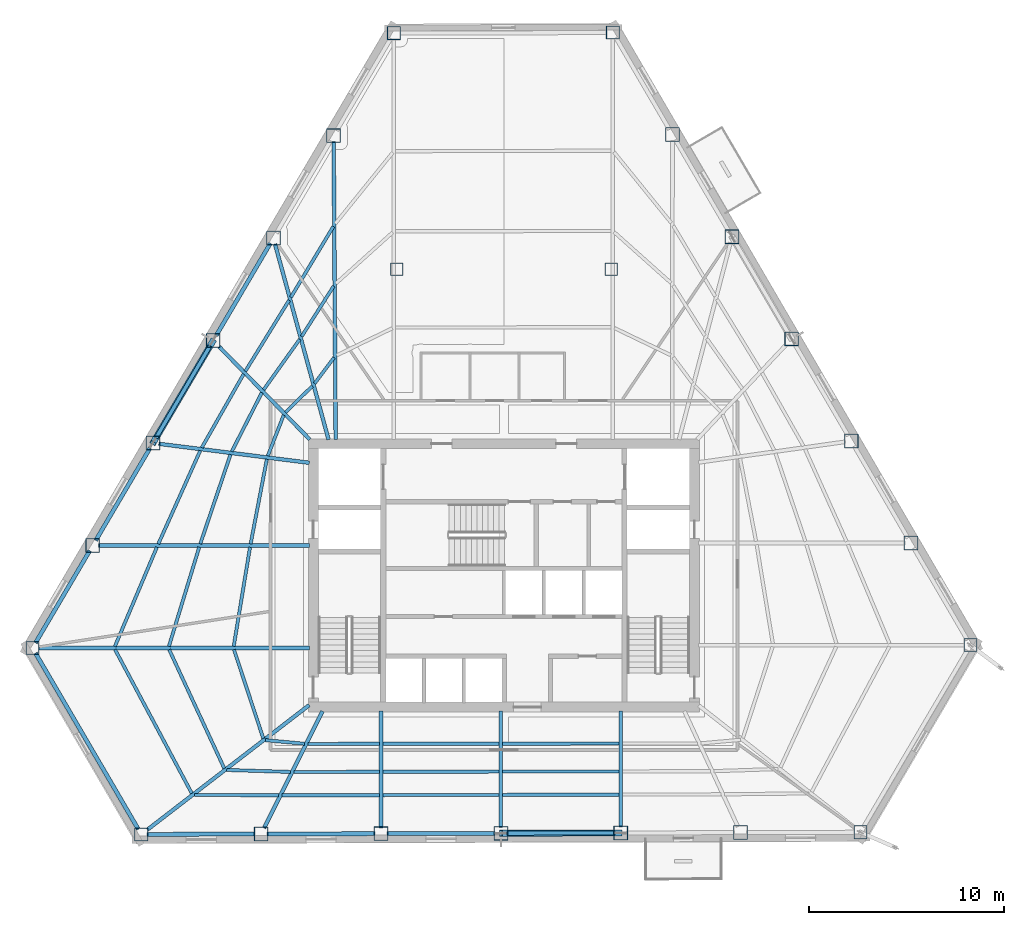
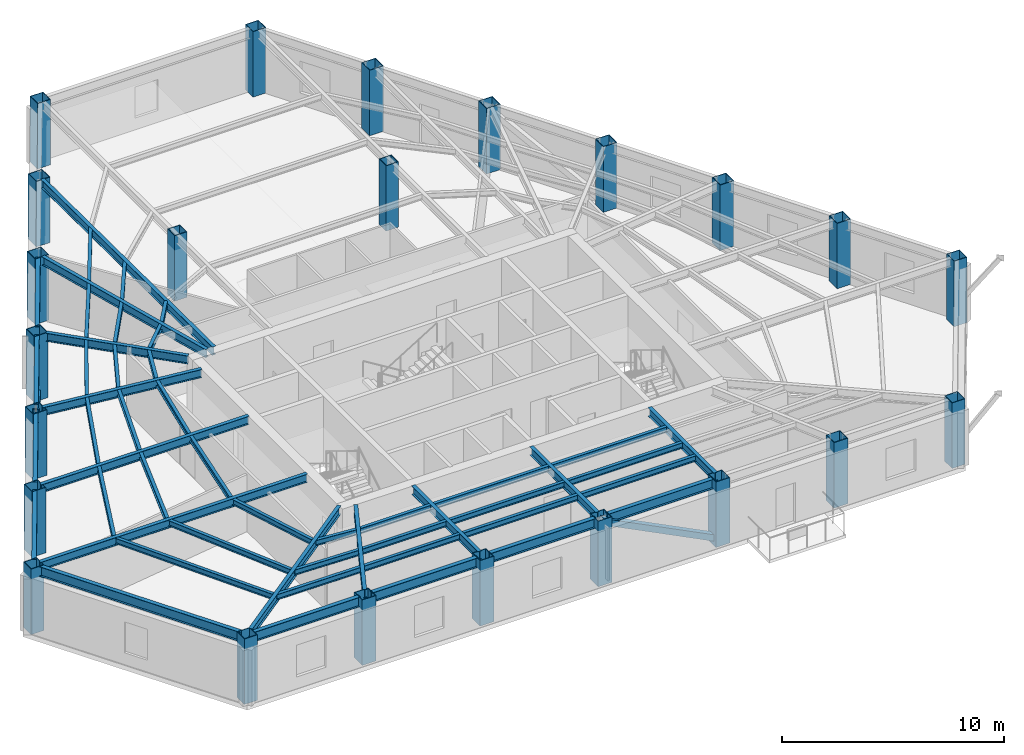
# One storey, part 1 of 10: 50 beams, 23 columns, 2 members.
"""IFC4 building model written with IfcOpenShell, lengths in metres."""

import ifcopenshell
import ifcopenshell.guid

model = None  # the IFC model being written
_history = None  # IfcOwnerHistory: only IFC2X3 demands one
_inside = {}  # id of a spatial element -> (the spatial element, [elements in it])
_under = {}  # id of a project, library or spatial element -> (it, [spatial elements below it])
_declared = {}  # id of a project -> (the project, [libraries it declares])
_typed = {}  # id of a type object -> (the type object, [elements of that type])
_made_of = {}  # id of a material, layer set ... -> (it, [elements and type objects made of it])


def new_model(schema):
    """Start an empty IFC model of exactly this schema.

    Asked for "IFC4X3", IfcOpenShell would pick the latest addendum, in which some entities
    have other attributes; the version numbers below select the first issue.
    IFC2X3 requires an IfcOwnerHistory on every rooted entity: one is made here for all.
    """
    global model, _history
    if schema == "IFC4X3":
        model = ifcopenshell.file(schema_version=(4, 3, 0, 0))
    else:
        model = ifcopenshell.file(schema=schema)
    _inside.clear()
    _under.clear()
    _declared.clear()
    _typed.clear()
    _made_of.clear()
    _history = None
    if model.schema == "IFC2X3":
        org = make("IfcOrganization", Name="unknown")
        user = make(
            "IfcPersonAndOrganization",
            ThePerson=make("IfcPerson", FamilyName="unknown"),
            TheOrganization=org,
        )
        app = make(
            "IfcApplication",
            ApplicationDeveloper=org,
            Version="unknown",
            ApplicationFullName="unknown",
            ApplicationIdentifier="unknown",
        )
        _history = make(
            "IfcOwnerHistory",
            OwningUser=user,
            OwningApplication=app,
            ChangeAction="ADDED",
            CreationDate=0,
        )
    return model


def make(cls, **values):
    """One entity of the class cls with the attributes given. An attribute that is None is left unset."""
    return model.create_entity(
        cls, **{name: value for name, value in values.items() if value is not None}
    )


def rooted(cls, **values):
    """An entity with a GlobalId (a new one), such as an element, a storey or a relation."""
    return make(cls, GlobalId=ifcopenshell.guid.new(), OwnerHistory=_history, **values)


def si_unit(unit_type, name, prefix=None):
    """IfcSIUnit, for example si_unit("LENGTHUNIT", "METRE", prefix="MILLI")."""
    return make("IfcSIUnit", UnitType=unit_type, Prefix=prefix, Name=name)


def assignment(units):
    """IfcUnitAssignment: the units of a project."""
    return None if units is None else make("IfcUnitAssignment", Units=units)


def point(xyz):
    """IfcCartesianPoint."""
    return None if xyz is None else make("IfcCartesianPoint", Coordinates=xyz)


def direction(xyz):
    """IfcDirection."""
    return None if xyz is None else make("IfcDirection", DirectionRatios=xyz)


def frame(location, z_axis=None, x_axis=None):
    """IfcAxis2Placement3D, a coordinate frame: its origin and axes. An axis left out is left unset."""
    return make(
        "IfcAxis2Placement3D",
        Location=point(location),
        Axis=direction(z_axis),
        RefDirection=direction(x_axis),
    )


def frame_2d(location, x_axis=None):
    """IfcAxis2Placement2D, a coordinate frame in the plane: its origin and x axis."""
    return make(
        "IfcAxis2Placement2D", Location=point(location), RefDirection=direction(x_axis)
    )


def origin():
    """The frame at (0, 0, 0) with its axes left unset."""
    return frame((0.0, 0.0, 0.0))


def origin_2d():
    """The frame at (0, 0) in the plane with its x axis left unset."""
    return frame_2d((0.0, 0.0))


def place(relative_to, where):
    """IfcLocalPlacement: puts the frame where relative to a parent placement (None: the world)."""
    return make(
        "IfcLocalPlacement", PlacementRelTo=relative_to, RelativePlacement=where
    )


def context(
    kind, dimensions, precision=None, world=None, true_north=None, identifier=None
):
    """IfcGeometricRepresentationContext, for example the 3D "Model" context."""
    return make(
        "IfcGeometricRepresentationContext",
        ContextIdentifier=identifier,
        ContextType=kind,
        CoordinateSpaceDimension=dimensions,
        Precision=precision,
        WorldCoordinateSystem=world,
        TrueNorth=true_north,
    )


def subcontext(parent, identifier, kind, view, scale=None):
    """IfcGeometricRepresentationSubContext, for example "Body" below "Model"."""
    return make(
        "IfcGeometricRepresentationSubContext",
        ContextIdentifier=identifier,
        ContextType=kind,
        ParentContext=parent,
        TargetScale=scale,
        TargetView=view,
    )


def project(units=None, contexts=None):
    """IfcProject with its units and contexts."""
    return rooted(
        "IfcProject",
        Name="project",
        RepresentationContexts=contexts,
        UnitsInContext=assignment(units),
    )


def spatial(cls, under=None, at=None, **own):
    """A site, building, storey or space (cls), placed at a placement, below another one or the project."""
    s = rooted(cls, ObjectPlacement=at, **own)
    if under is not None:
        _under.setdefault(under.id(), (under, []))[1].append(s)
    return s


def profile(cls, at=None, kind="AREA", **sizes):
    """A parametric profile (cls). Its sizes go by their IFC names, for example OverallWidth=200.0."""
    return make(cls, ProfileType=kind, Position=at, **sizes)


def hollow_rectangle(**sizes):
    """IfcRectangleHollowProfileDef."""
    return profile("IfcRectangleHollowProfileDef", **sizes)


def i_section(**sizes):
    """IfcIShapeProfileDef."""
    return profile("IfcIShapeProfileDef", **sizes)


def extrude(swept, where, along, depth):
    """IfcExtrudedAreaSolid: the profile swept, set in the frame where, extruded along a direction by depth."""
    return make(
        "IfcExtrudedAreaSolid",
        SweptArea=swept,
        Position=where,
        ExtrudedDirection=direction(along),
        Depth=depth,
    )


def shape(context_of_items, identifier, shape_type, items):
    """IfcShapeRepresentation: the items that make up one representation, for example the "Body"."""
    return make(
        "IfcShapeRepresentation",
        ContextOfItems=context_of_items,
        RepresentationIdentifier=identifier,
        RepresentationType=shape_type,
        Items=items,
    )


def material(Name=None, Category=None):
    """IfcMaterial."""
    return make("IfcMaterial", Name=Name, Category=Category)


def material_profile(
    of_material, cross_section, Name=None, Category=None, Priority=None
):
    """IfcMaterialProfile: a cross section and its material."""
    return make(
        "IfcMaterialProfile",
        Name=Name,
        Material=of_material,
        Profile=cross_section,
        Priority=Priority,
        Category=Category,
    )


def profile_set(profiles, Name=None, composite=None):
    """IfcMaterialProfileSet."""
    return make(
        "IfcMaterialProfileSet",
        Name=Name,
        MaterialProfiles=profiles,
        CompositeProfile=composite,
    )


def made_of(thing, what):
    """Note that an element or type object is made of a material, layer set ...; save() writes the relation."""
    if what is not None:
        _made_of.setdefault(what.id(), (what, []))[1].append(thing)
    return thing


def type_object(cls, material=None, **own):
    """A type object (cls), such as IfcWallType, which elements share."""
    return made_of(rooted(cls, **own), material)


def element(
    cls,
    number,
    at=None,
    inside=None,
    cuts=None,
    type_object=None,
    material=None,
    context=None,
    identifier="Body",
    shape_type=None,
    held_by="IfcProductDefinitionShape",
    body=None,
    shapes=None,
    **own,
):
    """One element of the class cls, such as IfcWall. Its Tag is "e" and its number.

    at: its placement. inside: the storey or other place that contains it. cuts: it is an
    opening in that element (IfcRelVoidsElement). A single representation is given by context,
    identifier, shape_type and body (its items); several are given by shapes. held_by: the class
    of the entity that holds the representations. save() writes the other relations.
    """
    e = rooted(cls, Tag="e%d" % number, ObjectPlacement=at, **own)
    if body is not None:
        shapes = [shape(context, identifier, shape_type, body)]
    if shapes is not None:
        e.Representation = make(held_by, Representations=shapes)
    if inside is not None:
        _inside.setdefault(inside.id(), (inside, []))[1].append(e)
    if cuts is not None:
        rooted(
            "IfcRelVoidsElement", RelatingBuildingElement=cuts, RelatedOpeningElement=e
        )
    if type_object is not None:
        _typed.setdefault(type_object.id(), (type_object, []))[1].append(e)
    return made_of(e, material)


def aggregate(whole, parts):
    """IfcRelAggregates: a whole, such as a stair, and the parts it consists of."""
    return rooted("IfcRelAggregates", RelatingObject=whole, RelatedObjects=parts)


def save(model, path):
    """Write the relations noted so far, then the file.

    IfcRelAggregates (storeys below a building ...), IfcRelContainedInSpatialStructure (elements
    in a storey), IfcRelDefinesByType, IfcRelAssociatesMaterial and IfcRelDeclares: one each for
    every whole, place, type object, material and project.
    """
    for whole, parts in _under.values():
        aggregate(whole, parts)
    for where, things in _inside.values():
        rooted(
            "IfcRelContainedInSpatialStructure",
            RelatedElements=things,
            RelatingStructure=where,
        )
    for kind, things in _typed.values():
        rooted("IfcRelDefinesByType", RelatedObjects=things, RelatingType=kind)
    for what, things in _made_of.values():
        rooted("IfcRelAssociatesMaterial", RelatedObjects=things, RelatingMaterial=what)
    for by, libraries in _declared.values():
        rooted("IfcRelDeclares", RelatingContext=by, RelatedDefinitions=libraries)
    model.write(path)


model = new_model("IFC4")

# Units and contexts
model_context = context("Model", 3, precision=1e-05, world=origin(), true_north=direction((0.0, 1.0)))
body_context = subcontext(model_context, "Body", "Model", "MODEL_VIEW")
ifc_project = project(units=[si_unit("LENGTHUNIT", "METRE"), si_unit("AREAUNIT", "SQUARE_METRE"), si_unit("VOLUMEUNIT", "CUBIC_METRE"), si_unit("PLANEANGLEUNIT", "RADIAN"), si_unit("MASSUNIT", "GRAM", prefix="KILO")], contexts=[model_context])

# Site, building, storey
site_placement = place(None, origin())
site = spatial("IfcSite", under=ifc_project, at=site_placement, CompositionType="ELEMENT")
building_placement = place(site_placement, origin())
building = spatial("IfcBuilding", under=site, at=building_placement, Name="Kavelnor Concourse Tower", CompositionType="ELEMENT")
storey_placement = place(building_placement, frame((0.0, 0.0, 135.550048828125)))
storey = spatial("IfcBuildingStorey", under=building, at=storey_placement, Name="L34", CompositionType="ELEMENT", Elevation=135.550048828125)

# Columns
ifc_material = material(Name="Steel Grade 350", Category="steel")
ifc_material_profile_1 = material_profile(ifc_material, hollow_rectangle(XDim=0.679931640625, YDim=0.679931640625, WallThickness=0.030029296875, at=origin_2d()), Name="SHS 680x680x30")
ifc_profile_set_1 = profile_set([ifc_material_profile_1], Name="Steel Grade 350")
column_type_1 = type_object("IfcColumnType", Name="COL-FOLD-Z2", PredefinedType="COLUMN", material=ifc_profile_set_1)
for number, where, z_axis, x_axis, name in (
    (1, (32.3544921875, 43.900146484375, 0.0), (0.0, 0.0, 1.0), (1.0, 0.0, 0.0), "L34 Perimeter Corner-Fold Column F0-B0"),
    (2, (13.8251953125, 12.375732421875, 0.0), (0.0, 0.0, 1.0), (1.0, 0.0, 0.0), "L34 Perimeter Corner-Fold Column F0-B6"),
    (3, (19.404052734375, 2.819091796875, 0.0), (0.0, 0.0, 1.0), (1.0, 0.0, 0.0), "L34 Perimeter Corner-Fold Column F1-B0"),
    (4, (56.281494140625, 2.928955078125, 0.0), (0.0, 0.0, 1.0), (1.0, 0.0, 0.0), "L34 Perimeter Corner-Fold Column F1-B6"),
    (5, (61.9208984375, 12.523681640625, 0.0), (0.0, 0.0, 1.0), (1.0, 0.0, 0.0), "L34 Perimeter Corner-Fold Column F2-B0"),
    (6, (43.5849609375, 43.93359375, 0.0), (0.0, 0.0, 1.0), (1.0, 0.0, 0.0), "L34 Perimeter Corner-Fold Column F2-B6"),
):
    element("IfcColumn", number, at=place(storey_placement, frame(where, z_axis=z_axis, x_axis=x_axis)), inside=storey, type_object=column_type_1, Name=name, PredefinedType="COLUMN", context=body_context, shape_type="SweptSolid", body=[
        extrude(hollow_rectangle(XDim=0.679931640625, YDim=0.679931640625, WallThickness=0.030029296875, at=origin_2d()), origin(), (0.0, 0.0, 1.0), 3.599853515625),
    ])
ifc_material_profile_2 = material_profile(ifc_material, hollow_rectangle(XDim=0.719970703125, YDim=0.719970703125, WallThickness=0.031982421875, at=origin_2d()), Name="SHS 720x720x32")
ifc_profile_set_2 = profile_set([ifc_material_profile_2], Name="Steel Grade 350")
column_type_2 = type_object("IfcColumnType", Name="COL-TUBE-Z2", PredefinedType="COLUMN", material=ifc_profile_set_2)
for number, where, z_axis, x_axis, name in (
    (7, (29.26611328125, 38.64599609375, 0.0), (0.0, 0.0, 1.0), (1.0, 0.0, 0.0), "L34 Perimeter Framed-Tube Column F0-B1"),
    (8, (26.177978515625, 33.39208984375, 0.0), (0.0, 0.0, 1.0), (1.0, 0.0, 0.0), "L34 Perimeter Framed-Tube Column F0-B2"),
    (9, (23.08984375, 28.137939453125, 0.0), (0.0, 0.0, 1.0), (1.0, 0.0, 0.0), "L34 Perimeter Framed-Tube Column F0-B3"),
    (10, (20.001708984375, 22.8837890625, 0.0), (0.0, 0.0, 1.0), (1.0, 0.0, 0.0), "L34 Perimeter Framed-Tube Column F0-B4"),
    (11, (16.91357421875, 17.6298828125, 0.0), (0.0, 0.0, 1.0), (1.0, 0.0, 0.0), "L34 Perimeter Framed-Tube Column F0-B5"),
    (12, (25.55029296875, 2.83740234375, 0.0), (0.0, 0.0, 1.0), (1.0, 0.0, 0.0), "L34 Perimeter Framed-Tube Column F1-B1"),
    (13, (31.696533203125, 2.855712890625, 0.0), (0.0, 0.0, 1.0), (1.0, 0.0, 0.0), "L34 Perimeter Framed-Tube Column F1-B2"),
    (14, (37.8427734375, 2.8740234375, 0.0), (0.0, 0.0, 1.0), (1.0, 0.0, 0.0), "L34 Perimeter Framed-Tube Column F1-B3"),
    (15, (43.989013671875, 2.892333984375, 0.0), (0.0, 0.0, 1.0), (1.0, 0.0, 0.0), "L34 Perimeter Framed-Tube Column F1-B4"),
    (16, (50.13525390625, 2.91064453125, 0.0), (0.0, 0.0, 1.0), (1.0, 0.0, 0.0), "L34 Perimeter Framed-Tube Column F1-B5"),
    (17, (58.864990234375, 17.7587890625, 0.0), (0.0, 0.0, 1.0), (1.0, 0.0, 0.0), "L34 Perimeter Framed-Tube Column F2-B1"),
    (18, (55.808837890625, 22.99365234375, 0.0), (0.0, 0.0, 1.0), (1.0, 0.0, 0.0), "L34 Perimeter Framed-Tube Column F2-B2"),
    (19, (52.7529296875, 28.228759765625, 0.0), (0.0, 0.0, 1.0), (1.0, 0.0, 0.0), "L34 Perimeter Framed-Tube Column F2-B3"),
    (20, (49.697021484375, 33.463623046875, 0.0), (0.0, 0.0, 1.0), (1.0, 0.0, 0.0), "L34 Perimeter Framed-Tube Column F2-B4"),
    (21, (46.640869140625, 38.698486328125, 0.0), (0.0, 0.0, 1.0), (1.0, 0.0, 0.0), "L34 Perimeter Framed-Tube Column F2-B5"),
):
    element("IfcColumn", number, at=place(storey_placement, frame(where, z_axis=z_axis, x_axis=x_axis)), inside=storey, type_object=column_type_2, Name=name, PredefinedType="COLUMN", context=body_context, shape_type="SweptSolid", body=[
        extrude(hollow_rectangle(XDim=0.719970703125, YDim=0.719970703125, WallThickness=0.031982421875, at=origin_2d()), origin(), (0.0, 0.0, 1.0), 3.599853515625),
    ])
ifc_material_profile_3 = material_profile(ifc_material, hollow_rectangle(XDim=0.639892578125, YDim=0.639892578125, WallThickness=0.028076171875, at=origin_2d()), Name="SHS 640x640x28")
ifc_profile_set_3 = profile_set([ifc_material_profile_3], Name="Steel Grade 350")
column_type_3 = type_object("IfcColumnType", Name="COL-TUBE-Z3", PredefinedType="COLUMN", material=ifc_profile_set_3)
for number, where, z_axis, x_axis, name in (
    (22, (32.5, 31.800048828125, 0.0), (0.0, 0.0, 1.0), (1.0, 0.0, 0.0), "L34 North Interior Gravity Column BC-NW"),
    (23, (43.5, 31.800048828125, 0.0), (0.0, 0.0, 1.0), (1.0, 0.0, 0.0), "L34 North Interior Gravity Column BC-NE"),
):
    element("IfcColumn", number, at=place(storey_placement, frame(where, z_axis=z_axis, x_axis=x_axis)), inside=storey, type_object=column_type_3, Name=name, PredefinedType="COLUMN", context=body_context, shape_type="SweptSolid", body=[
        extrude(hollow_rectangle(XDim=0.639892578125, YDim=0.639892578125, WallThickness=0.028076171875, at=origin_2d()), origin(), (0.0, 0.0, 1.0), 3.599853515625),
    ])

# Beams
ifc_material_profile_4 = material_profile(ifc_material, i_section(OverallWidth=0.166015625, OverallDepth=0.306884765625, WebThickness=0.006591796875, FlangeThickness=0.01171875, at=origin_2d()), Name="310UB46")
ifc_profile_set_4 = profile_set([ifc_material_profile_4], Name="Steel Grade 350")
beam_type_1 = type_object("IfcBeamType", Name="BM-JOIST-310", PredefinedType="JOIST", material=ifc_profile_set_4)
beam_1_placement = place(storey_placement, frame((24.157470703125, 12.291259765625, 3.446533203125), z_axis=(0.313581931803, -0.949561147082, 0.0), x_axis=(0.949561147082, 0.313581931803, 0.0)))
element("IfcBeam", 24, at=beam_1_placement, inside=storey, type_object=beam_type_1, Name="L34 Secondary Composite Joist 01-1", PredefinedType="JOIST", context=body_context, shape_type="SweptSolid", body=[
    extrude(i_section(OverallWidth=0.166015625, OverallDepth=0.306884765625, WebThickness=0.006591796875, FlangeThickness=0.01171875, at=origin_2d()), origin(), (0.0, 0.0, 1.0), 4.791259765625),
])
beam_2_placement = place(storey_placement, frame((20.832275390625, 12.294921875, 3.446533203125), z_axis=(0.42094571219, -0.907085832427, 0.0), x_axis=(0.907085832427, 0.42094571219, 0.0)))
element("IfcBeam", 25, at=beam_2_placement, inside=storey, type_object=beam_type_1, Name="L34 Secondary Composite Joist 01-2", PredefinedType="JOIST", context=body_context, shape_type="SweptSolid", body=[
    extrude(i_section(OverallWidth=0.166015625, OverallDepth=0.306884765625, WebThickness=0.006591796875, FlangeThickness=0.01171875, at=origin_2d()), origin(), (0.0, 0.0, 1.0), 6.71435546875),
])
beam_3_placement = place(storey_placement, frame((18.0576171875, 12.297119140625, 3.446533203125), z_axis=(0.471017238573, -0.882124005436, 0.0), x_axis=(0.882124005436, 0.471017238573, 0.0)))
element("IfcBeam", 26, at=beam_3_placement, inside=storey, type_object=beam_type_1, Name="L34 Secondary Composite Joist 01-3", PredefinedType="JOIST", context=body_context, shape_type="SweptSolid", body=[
    extrude(i_section(OverallWidth=0.166015625, OverallDepth=0.306884765625, WebThickness=0.006591796875, FlangeThickness=0.01171875, at=origin_2d()), origin(), (0.0, 0.0, 1.0), 8.35791015625),
])
beam_4_placement = place(storey_placement, frame((25.776611328125, 7.649169921875, 3.446533203125), z_axis=(0.995788624159, -0.09167887431, 0.0), x_axis=(0.09167887431, 0.995788624159, 0.0)))
element("IfcBeam", 27, at=beam_4_placement, inside=storey, type_object=beam_type_1, Name="L34 Secondary Composite Joist 02-1", PredefinedType="JOIST", context=body_context, shape_type="SweptSolid", body=[
    extrude(i_section(OverallWidth=0.166015625, OverallDepth=0.306884765625, WebThickness=0.006591796875, FlangeThickness=0.01171875, at=origin_2d()), origin(), (0.0, 0.0, 1.0), 2.002685546875),
])
beam_5_placement = place(storey_placement, frame((23.784912109375, 6.12109375, 3.446533203125), z_axis=(0.999535404109, -0.030479106493, 0.0), x_axis=(0.030479106493, 0.999535404109, 0.0)))
element("IfcBeam", 28, at=beam_5_placement, inside=storey, type_object=beam_type_1, Name="L34 Secondary Composite Joist 02-2", PredefinedType="JOIST", context=body_context, shape_type="SweptSolid", body=[
    extrude(i_section(OverallWidth=0.166015625, OverallDepth=0.306884765625, WebThickness=0.006591796875, FlangeThickness=0.01171875, at=origin_2d()), origin(), (0.0, 0.0, 1.0), 3.26806640625),
])
beam_6_placement = place(storey_placement, frame((22.125244140625, 4.84521484375, 3.446533203125), z_axis=(0.999983762181, -0.00569871692, 0.0), x_axis=(0.00569871692, 0.999983762181, 0.0)))
element("IfcBeam", 29, at=beam_6_placement, inside=storey, type_object=beam_type_1, Name="L34 Secondary Composite Joist 02-3", PredefinedType="JOIST", context=body_context, shape_type="SweptSolid", body=[
    extrude(i_section(OverallWidth=0.166015625, OverallDepth=0.306884765625, WebThickness=0.006591796875, FlangeThickness=0.01171875, at=origin_2d()), origin(), (0.0, 0.0, 1.0), 4.326904296875),
])
beam_7_placement = place(storey_placement, frame((27.9482421875, 7.45751953125, 3.446533203125), z_axis=(0.999998377409, 0.00180143823, 0.0), x_axis=(-0.00180143823, 0.999998377409, 0.0)))
element("IfcBeam", 30, at=beam_7_placement, inside=storey, type_object=beam_type_1, Name="L34 Secondary Composite Joist 03-1", PredefinedType="JOIST", context=body_context, shape_type="SweptSolid", body=[
    extrude(i_section(OverallWidth=0.166015625, OverallDepth=0.306884765625, WebThickness=0.006591796875, FlangeThickness=0.01171875, at=origin_2d()), origin(), (0.0, 0.0, 1.0), 3.6591796875),
])
beam_8_placement = place(storey_placement, frame((27.229248046875, 6.01904296875, 3.446533203125), z_axis=(0.999997871537, 0.002063230985, 0.0), x_axis=(-0.002063230985, 0.999997871537, 0.0)))
element("IfcBeam", 31, at=beam_8_placement, inside=storey, type_object=beam_type_1, Name="L34 Secondary Composite Joist 03-2", PredefinedType="JOIST", context=body_context, shape_type="SweptSolid", body=[
    extrude(i_section(OverallWidth=0.166015625, OverallDepth=0.306884765625, WebThickness=0.006591796875, FlangeThickness=0.01171875, at=origin_2d()), origin(), (0.0, 0.0, 1.0), 4.378173828125),
])
beam_9_placement = place(storey_placement, frame((26.630126953125, 4.8203125, 3.446533203125), z_axis=(0.999997671012, 0.002158233066, 0.0), x_axis=(-0.002158233066, 0.999997671012, 0.0)))
element("IfcBeam", 32, at=beam_9_placement, inside=storey, type_object=beam_type_1, Name="L34 Secondary Composite Joist 03-3", PredefinedType="JOIST", context=body_context, shape_type="SweptSolid", body=[
    extrude(i_section(OverallWidth=0.166015625, OverallDepth=0.306884765625, WebThickness=0.006591796875, FlangeThickness=0.01171875, at=origin_2d()), origin(), (0.0, 0.0, 1.0), 4.977294921875),
])
for number, where, z_axis, x_axis, name in (
    (33, (31.785400390625, 7.464599609375, 3.446533203125), (0.999999665332, 0.000818129482, 0.0), (-0.000818129482, 0.999999665332, 0.0), "L34 Secondary Composite Joist 04-1"),
    (34, (31.785400390625, 6.0283203125, 3.446533203125), (0.99999879185, 0.001554444657, 0.0), (-0.001554444657, 0.99999879185, 0.0), "L34 Secondary Composite Joist 04-2"),
    (35, (31.785400390625, 4.83154296875, 3.446533203125), (0.999997737651, 0.002127132552, 0.0), (-0.002127132552, 0.999997737651, 0.0), "L34 Secondary Composite Joist 04-3"),
    (36, (37.931640625, 7.469482421875, 3.446533203125), (0.999999631029, 0.000859035926, 0.0), (-0.000859035926, 0.999999631029, 0.0), "L34 Secondary Composite Joist 05-1"),
    (37, (37.931640625, 6.037841796875, 3.446533203125), (0.99999879185, 0.001554444657, 0.0), (-0.001554444657, 0.99999879185, 0.0), "L34 Secondary Composite Joist 05-2"),
    (38, (37.931640625, 4.8447265625, 3.446533203125), (0.999997737651, 0.002127132552, 0.0), (-0.002127132552, 0.999997737651, 0.0), "L34 Secondary Composite Joist 05-3"),
):
    element("IfcBeam", number, at=place(storey_placement, frame(where, z_axis=z_axis, x_axis=x_axis)), inside=storey, type_object=beam_type_1, Name=name, PredefinedType="JOIST", context=body_context, shape_type="SweptSolid", body=[
        extrude(i_section(OverallWidth=0.166015625, OverallDepth=0.306884765625, WebThickness=0.006591796875, FlangeThickness=0.01171875, at=origin_2d()), origin(), (0.0, 0.0, 1.0), 5.96826171875),
    ])
beam_10_placement = place(storey_placement, frame((29.288818359375, 27.268798828125, 3.446533203125), z_axis=(-0.600470276918, -0.799647076239, 0.0), x_axis=(0.799647076239, -0.600470276918, 0.0)))
element("IfcBeam", 39, at=beam_10_placement, inside=storey, type_object=beam_type_1, Name="L34 Secondary Composite Joist 17-1", PredefinedType="JOIST", context=body_context, shape_type="SweptSolid", body=[
    extrude(i_section(OverallWidth=0.166015625, OverallDepth=0.306884765625, WebThickness=0.006591796875, FlangeThickness=0.01171875, at=origin_2d()), origin(), (0.0, 0.0, 1.0), 1.660888671875),
])
beam_11_placement = place(storey_placement, frame((29.269775390625, 30.93359375, 3.446533203125), z_axis=(-0.536901302248, -0.843645062597, 0.0), x_axis=(0.843645062597, -0.536901302248, 0.0)))
element("IfcBeam", 40, at=beam_11_placement, inside=storey, type_object=beam_type_1, Name="L34 Secondary Composite Joist 17-2", PredefinedType="JOIST", context=body_context, shape_type="SweptSolid", body=[
    extrude(i_section(OverallWidth=0.166015625, OverallDepth=0.306884765625, WebThickness=0.006591796875, FlangeThickness=0.01171875, at=origin_2d()), origin(), (0.0, 0.0, 1.0), 3.060302734375),
])
beam_12_placement = place(storey_placement, frame((29.251220703125, 33.989501953125, 3.446533203125), z_axis=(-0.514088555014, -0.857737114508, 0.0), x_axis=(0.857737114508, -0.514088555014, 0.0)))
element("IfcBeam", 41, at=beam_12_placement, inside=storey, type_object=beam_type_1, Name="L34 Secondary Composite Joist 17-3", PredefinedType="JOIST", context=body_context, shape_type="SweptSolid", body=[
    extrude(i_section(OverallWidth=0.166015625, OverallDepth=0.306884765625, WebThickness=0.006591796875, FlangeThickness=0.01171875, at=origin_2d()), origin(), (0.0, 0.0, 1.0), 4.232666015625),
])
beam_13_placement = place(storey_placement, frame((28.174560546875, 25.807373046875, 3.446533203125), z_axis=(-0.714760758641, -0.699369042714, 0.0), x_axis=(0.699369042714, -0.714760758641, 0.0)))
element("IfcBeam", 42, at=beam_13_placement, inside=storey, type_object=beam_type_1, Name="L34 Secondary Composite Joist 18-1", PredefinedType="JOIST", context=body_context, shape_type="SweptSolid", body=[
    extrude(i_section(OverallWidth=0.166015625, OverallDepth=0.306884765625, WebThickness=0.006591796875, FlangeThickness=0.01171875, at=origin_2d()), origin(), (0.0, 0.0, 1.0), 1.919189453125),
])
beam_14_placement = place(storey_placement, frame((27.527099609375, 28.2041015625, 3.446533203125), z_axis=(-0.581862251638, -0.813287353964, 0.0), x_axis=(0.813287353964, -0.581862251638, 0.0)))
element("IfcBeam", 43, at=beam_14_placement, inside=storey, type_object=beam_type_1, Name="L34 Secondary Composite Joist 18-2", PredefinedType="JOIST", context=body_context, shape_type="SweptSolid", body=[
    extrude(i_section(OverallWidth=0.166015625, OverallDepth=0.306884765625, WebThickness=0.006591796875, FlangeThickness=0.01171875, at=origin_2d()), origin(), (0.0, 0.0, 1.0), 3.181640625),
])
beam_15_placement = place(storey_placement, frame((26.98291015625, 30.206787109375, 3.446533203125), z_axis=(-0.524722357001, -0.851273427321, 0.0), x_axis=(0.851273427321, -0.524722357001, 0.0)))
element("IfcBeam", 44, at=beam_15_placement, inside=storey, type_object=beam_type_1, Name="L34 Secondary Composite Joist 18-3", PredefinedType="JOIST", context=body_context, shape_type="SweptSolid", body=[
    extrude(i_section(OverallWidth=0.166015625, OverallDepth=0.306884765625, WebThickness=0.006591796875, FlangeThickness=0.01171875, at=origin_2d()), origin(), (0.0, 0.0, 1.0), 4.271240234375),
])
beam_16_placement = place(storey_placement, frame((26.706787109375, 24.31982421875, 3.446533203125), z_axis=(-0.36318581221, -0.931716730455, 0.0), x_axis=(0.931716730455, -0.36318581221, 0.0)))
element("IfcBeam", 45, at=beam_16_placement, inside=storey, type_object=beam_type_1, Name="L34 Secondary Composite Joist 19-1", PredefinedType="JOIST", context=body_context, shape_type="SweptSolid", body=[
    extrude(i_section(OverallWidth=0.166015625, OverallDepth=0.306884765625, WebThickness=0.006591796875, FlangeThickness=0.01171875, at=origin_2d()), origin(), (0.0, 0.0, 1.0), 2.245849609375),
])
beam_17_placement = place(storey_placement, frame((25.58349609375, 25.46484375, 3.446533203125), z_axis=(-0.454946734414, -0.890518651599, 0.0), x_axis=(0.890518651599, -0.454946734414, 0.0)))
element("IfcBeam", 46, at=beam_17_placement, inside=storey, type_object=beam_type_1, Name="L34 Secondary Composite Joist 19-2", PredefinedType="JOIST", context=body_context, shape_type="SweptSolid", body=[
    extrude(i_section(OverallWidth=0.166015625, OverallDepth=0.306884765625, WebThickness=0.006591796875, FlangeThickness=0.01171875, at=origin_2d()), origin(), (0.0, 0.0, 1.0), 3.376953125),
])
beam_18_placement = place(storey_placement, frame((24.65087890625, 26.417724609375, 3.446533203125), z_axis=(-0.494579269266, -0.86913252523, 0.0), x_axis=(0.86913252523, -0.494579269266, 0.0)))
element("IfcBeam", 47, at=beam_18_placement, inside=storey, type_object=beam_type_1, Name="L34 Secondary Composite Joist 19-3", PredefinedType="JOIST", context=body_context, shape_type="SweptSolid", body=[
    extrude(i_section(OverallWidth=0.166015625, OverallDepth=0.306884765625, WebThickness=0.006591796875, FlangeThickness=0.01171875, at=origin_2d()), origin(), (0.0, 0.0, 1.0), 4.33447265625),
])
beam_19_placement = place(storey_placement, frame((25.842041015625, 22.05712890625, 3.446533203125), z_axis=(-0.188076806734, -0.982154323296, 0.0), x_axis=(0.982154323296, -0.188076806734, 0.0)))
element("IfcBeam", 48, at=beam_19_placement, inside=storey, type_object=beam_type_1, Name="L34 Secondary Composite Joist 20-1", PredefinedType="JOIST", context=body_context, shape_type="SweptSolid", body=[
    extrude(i_section(OverallWidth=0.166015625, OverallDepth=0.306884765625, WebThickness=0.006591796875, FlangeThickness=0.01171875, at=origin_2d()), origin(), (0.0, 0.0, 1.0), 4.418701171875),
])
beam_20_placement = place(storey_placement, frame((23.97802734375, 22.2939453125, 3.446533203125), z_axis=(-0.320360563339, -0.947295682169, 0.0), x_axis=(0.947295682169, -0.320360563339, 0.0)))
element("IfcBeam", 49, at=beam_20_placement, inside=storey, type_object=beam_type_1, Name="L34 Secondary Composite Joist 20-2", PredefinedType="JOIST", context=body_context, shape_type="SweptSolid", body=[
    extrude(i_section(OverallWidth=0.166015625, OverallDepth=0.306884765625, WebThickness=0.006591796875, FlangeThickness=0.01171875, at=origin_2d()), origin(), (0.0, 0.0, 1.0), 4.834716796875),
])
beam_21_placement = place(storey_placement, frame((22.426513671875, 22.491943359375, 3.446533203125), z_axis=(-0.410234935607, -0.911979877852, 0.0), x_axis=(0.911979877852, -0.410234935607, 0.0)))
element("IfcBeam", 50, at=beam_21_placement, inside=storey, type_object=beam_type_1, Name="L34 Secondary Composite Joist 20-3", PredefinedType="JOIST", context=body_context, shape_type="SweptSolid", body=[
    extrude(i_section(OverallWidth=0.166015625, OverallDepth=0.306884765625, WebThickness=0.006591796875, FlangeThickness=0.01171875, at=origin_2d()), origin(), (0.0, 0.0, 1.0), 5.242431640625),
])
beam_22_placement = place(storey_placement, frame((24.979736328125, 17.5419921875, 3.446533203125), z_axis=(-0.162414117341, -0.98672268368, 0.0), x_axis=(0.98672268368, -0.162414117341, 0.0)))
element("IfcBeam", 51, at=beam_22_placement, inside=storey, type_object=beam_type_1, Name="L34 Secondary Composite Joist 21-1", PredefinedType="JOIST", context=body_context, shape_type="SweptSolid", body=[
    extrude(i_section(OverallWidth=0.166015625, OverallDepth=0.306884765625, WebThickness=0.006591796875, FlangeThickness=0.01171875, at=origin_2d()), origin(), (0.0, 0.0, 1.0), 5.14697265625),
])
beam_23_placement = place(storey_placement, frame((22.37451171875, 17.544677734375, 3.446533203125), z_axis=(-0.292265205443, -0.956337309576, 0.0), x_axis=(0.956337309576, -0.292265205443, 0.0)))
element("IfcBeam", 52, at=beam_23_placement, inside=storey, type_object=beam_type_1, Name="L34 Secondary Composite Joist 21-2", PredefinedType="JOIST", context=body_context, shape_type="SweptSolid", body=[
    extrude(i_section(OverallWidth=0.166015625, OverallDepth=0.306884765625, WebThickness=0.006591796875, FlangeThickness=0.01171875, at=origin_2d()), origin(), (0.0, 0.0, 1.0), 5.316162109375),
])
beam_24_placement = place(storey_placement, frame((20.20458984375, 17.5478515625, 3.446533203125), z_axis=(-0.389725006814, -0.920931278144, 0.0), x_axis=(0.920931278144, -0.389725006814, 0.0)))
element("IfcBeam", 53, at=beam_24_placement, inside=storey, type_object=beam_type_1, Name="L34 Secondary Composite Joist 21-3", PredefinedType="JOIST", context=body_context, shape_type="SweptSolid", body=[
    extrude(i_section(OverallWidth=0.166015625, OverallDepth=0.306884765625, WebThickness=0.006591796875, FlangeThickness=0.01171875, at=origin_2d()), origin(), (0.0, 0.0, 1.0), 5.527099609375),
])
ifc_material_profile_5 = material_profile(ifc_material, i_section(OverallWidth=0.18994140625, OverallDepth=0.4541015625, WebThickness=0.008544921875, FlangeThickness=0.0126953125, at=origin_2d()), Name="460UB67")
ifc_profile_set_5 = profile_set([ifc_material_profile_5], Name="Steel Grade 350")
beam_type_2 = type_object("IfcBeamType", Name="BM-PRIMARY-460", PredefinedType="BEAM", material=ifc_profile_set_5)
beam_25_placement = place(storey_placement, frame((29.370849609375, 23.06005859375, 3.373046875), z_axis=(-0.006707935517, 0.999977501547, 0.0), x_axis=(-0.999977501547, -0.006707935517, 0.0)))
element("IfcBeam", 54, at=beam_25_placement, inside=storey, type_object=beam_type_2, Name="L34 Primary Floor Girder F0-B1", PredefinedType="BEAM", context=body_context, shape_type="SweptSolid", body=[
    extrude(i_section(OverallWidth=0.18994140625, OverallDepth=0.4541015625, WebThickness=0.008544921875, FlangeThickness=0.0126953125, at=origin_2d()), origin(), (0.0, 0.0, 1.0), 15.2861328125),
])
beam_26_placement = place(storey_placement, frame((29.007080078125, 23.061279296875, 3.373046875), z_axis=(-0.264130437968, 0.964486968154, 0.0), x_axis=(-0.964486968154, -0.264130437968, 0.0)))
element("IfcBeam", 55, at=beam_26_placement, inside=storey, type_object=beam_type_2, Name="L34 Primary Floor Girder F0-B2", PredefinedType="BEAM", context=body_context, shape_type="SweptSolid", body=[
    extrude(i_section(OverallWidth=0.18994140625, OverallDepth=0.4541015625, WebThickness=0.008544921875, FlangeThickness=0.0126953125, at=origin_2d()), origin(), (0.0, 0.0, 1.0), 10.398681640625),
])
beam_27_placement = place(storey_placement, frame((28.0400390625, 23.0712890625, 3.373046875), z_axis=(-0.698851404102, 0.715266883747, 0.0), x_axis=(-0.715266883747, -0.698851404102, 0.0)))
element("IfcBeam", 56, at=beam_27_placement, inside=storey, type_object=beam_type_2, Name="L34 Primary Floor Girder F0-B3", PredefinedType="BEAM", context=body_context, shape_type="SweptSolid", body=[
    extrude(i_section(OverallWidth=0.18994140625, OverallDepth=0.4541015625, WebThickness=0.008544921875, FlangeThickness=0.0126953125, at=origin_2d()), origin(), (0.0, 0.0, 1.0), 6.64794921875),
])
beam_28_placement = place(storey_placement, frame((28.019775390625, 21.87158203125, 3.373046875), z_axis=(-0.992124549363, 0.125255253591, 0.0), x_axis=(-0.125255253591, -0.992124549363, 0.0)))
element("IfcBeam", 57, at=beam_28_placement, inside=storey, type_object=beam_type_2, Name="L34 Primary Floor Girder F0-B4", PredefinedType="BEAM", context=body_context, shape_type="SweptSolid", body=[
    extrude(i_section(OverallWidth=0.18994140625, OverallDepth=0.4541015625, WebThickness=0.008544921875, FlangeThickness=0.0126953125, at=origin_2d()), origin(), (0.0, 0.0, 1.0), 7.779052734375),
])
beam_29_placement = place(storey_placement, frame((28.02001953125, 17.6298828125, 3.373046875), z_axis=(-1.0, 0.0, 0.0), x_axis=(0.0, -1.0, 0.0)))
element("IfcBeam", 58, at=beam_29_placement, inside=storey, type_object=beam_type_2, Name="L34 Primary Floor Girder F0-B5", PredefinedType="BEAM", context=body_context, shape_type="SweptSolid", body=[
    extrude(i_section(OverallWidth=0.18994140625, OverallDepth=0.4541015625, WebThickness=0.008544921875, FlangeThickness=0.0126953125, at=origin_2d()), origin(), (0.0, 0.0, 1.0), 10.806640625),
])
beam_30_placement = place(storey_placement, frame((28.02001953125, 12.375732421875, 3.373046875), z_axis=(-1.0, 0.0, 0.0), x_axis=(0.0, -1.0, 0.0)))
element("IfcBeam", 59, at=beam_30_placement, inside=storey, type_object=beam_type_2, Name="L34 Primary Floor Girder F0-B6", PredefinedType="BEAM", context=body_context, shape_type="SweptSolid", body=[
    extrude(i_section(OverallWidth=0.18994140625, OverallDepth=0.4541015625, WebThickness=0.008544921875, FlangeThickness=0.0126953125, at=origin_2d()), origin(), (0.0, 0.0, 1.0), 13.894775390625),
])
beam_31_placement = place(storey_placement, frame((28.01171875, 9.446533203125, 3.373046875), z_axis=(-0.792344898802, -0.61007340652, 0.0), x_axis=(0.61007340652, -0.792344898802, 0.0)))
element("IfcBeam", 60, at=beam_31_placement, inside=storey, type_object=beam_type_2, Name="L34 Primary Floor Girder F1-B0", PredefinedType="BEAM", context=body_context, shape_type="SweptSolid", body=[
    extrude(i_section(OverallWidth=0.18994140625, OverallDepth=0.4541015625, WebThickness=0.008544921875, FlangeThickness=0.0126953125, at=origin_2d()), origin(), (0.0, 0.0, 1.0), 10.474365234375),
])
beam_32_placement = place(storey_placement, frame((28.6982421875, 9.1357421875, 3.373046875), z_axis=(-0.447067858048, -0.894500044886, 0.0), x_axis=(0.894500044886, -0.447067858048, 0.0)))
element("IfcBeam", 61, at=beam_32_placement, inside=storey, type_object=beam_type_2, Name="L34 Primary Floor Girder F1-B1", PredefinedType="BEAM", context=body_context, shape_type="SweptSolid", body=[
    extrude(i_section(OverallWidth=0.18994140625, OverallDepth=0.4541015625, WebThickness=0.008544921875, FlangeThickness=0.0126953125, at=origin_2d()), origin(), (0.0, 0.0, 1.0), 6.701171875),
])
beam_33_placement = place(storey_placement, frame((31.696533203125, 9.139892578125, 3.373046875), z_axis=(0.0, -1.0, 0.0), x_axis=(1.0, 0.0, 0.0)))
element("IfcBeam", 62, at=beam_33_placement, inside=storey, type_object=beam_type_2, Name="L34 Primary Floor Girder F1-B2", PredefinedType="BEAM", context=body_context, shape_type="SweptSolid", body=[
    extrude(i_section(OverallWidth=0.18994140625, OverallDepth=0.4541015625, WebThickness=0.008544921875, FlangeThickness=0.0126953125, at=origin_2d()), origin(), (0.0, 0.0, 1.0), 5.984130859375),
])
beam_34_placement = place(storey_placement, frame((37.8427734375, 9.139892578125, 3.373046875), z_axis=(0.0, -1.0, 0.0), x_axis=(1.0, 0.0, 0.0)))
element("IfcBeam", 63, at=beam_34_placement, inside=storey, type_object=beam_type_2, Name="L34 Primary Floor Girder F1-B3", PredefinedType="BEAM", context=body_context, shape_type="SweptSolid", body=[
    extrude(i_section(OverallWidth=0.18994140625, OverallDepth=0.4541015625, WebThickness=0.008544921875, FlangeThickness=0.0126953125, at=origin_2d()), origin(), (0.0, 0.0, 1.0), 5.9658203125),
])
beam_35_placement = place(storey_placement, frame((43.989013671875, 9.139892578125, 3.373046875), z_axis=(0.0, -1.0, 0.0), x_axis=(1.0, 0.0, 0.0)))
element("IfcBeam", 64, at=beam_35_placement, inside=storey, type_object=beam_type_2, Name="L34 Primary Floor Girder F1-B4", PredefinedType="BEAM", context=body_context, shape_type="SweptSolid", body=[
    extrude(i_section(OverallWidth=0.18994140625, OverallDepth=0.4541015625, WebThickness=0.008544921875, FlangeThickness=0.0126953125, at=origin_2d()), origin(), (0.0, 0.0, 1.0), 5.947509765625),
])
ifc_material_profile_6 = material_profile(ifc_material, i_section(OverallWidth=0.208984375, OverallDepth=0.532958984375, WebThickness=0.01025390625, FlangeThickness=0.015625, at=origin_2d()), Name="530UB92")
ifc_profile_set_6 = profile_set([ifc_material_profile_6], Name="Steel Grade 350")
beam_type_3 = type_object("IfcBeamType", Name="BM-SPANDREL-Z2", PredefinedType="SPANDREL", material=ifc_profile_set_6)
for number, where, z_axis, x_axis, name in (
    (65, (26.0234375, 33.129150390625, 3.33349609375), (-0.50671077972, -0.862116109184, 0.0), (0.862116109184, -0.50671077972, 0.0), "L34 Perimeter Tube Spandrel Beam F0-B2"),
    (66, (22.935302734375, 27.875, 3.33349609375), (-0.50671077972, -0.862116109184, 0.0), (0.862116109184, -0.50671077972, 0.0), "L34 Perimeter Tube Spandrel Beam F0-B3"),
    (67, (19.84716796875, 22.620849609375, 3.33349609375), (-0.50671077972, -0.862116109184, 0.0), (0.862116109184, -0.50671077972, 0.0), "L34 Perimeter Tube Spandrel Beam F0-B4"),
    (68, (16.7587890625, 17.366943359375, 3.33349609375), (-0.506677693312, -0.862135554945, 0.0), (0.862135554945, -0.506677693312, 0.0), "L34 Perimeter Tube Spandrel Beam F0-B5"),
):
    element("IfcBeam", number, at=place(storey_placement, frame(where, z_axis=z_axis, x_axis=x_axis)), inside=storey, type_object=beam_type_3, Name=name, PredefinedType="SPANDREL", context=body_context, shape_type="SweptSolid", body=[
        extrude(i_section(OverallWidth=0.208984375, OverallDepth=0.532958984375, WebThickness=0.01025390625, FlangeThickness=0.015625, at=origin_2d()), origin(), (0.0, 0.0, 1.0), 5.484375),
    ])
for number, where, z_axis, x_axis, name in (
    (69, (19.708984375, 2.820068359375, 3.33349609375), (0.999995635389, 0.002954522537, 0.0), (-0.002954522537, 0.999995635389, 0.0), "L34 Perimeter Tube Spandrel Beam F1-B0"),
    (70, (25.855224609375, 2.83837890625, 3.33349609375), (0.999995635389, 0.002954522537, 0.0), (-0.002954522537, 0.999995635389, 0.0), "L34 Perimeter Tube Spandrel Beam F1-B1"),
):
    element("IfcBeam", number, at=place(storey_placement, frame(where, z_axis=z_axis, x_axis=x_axis)), inside=storey, type_object=beam_type_3, Name=name, PredefinedType="SPANDREL", context=body_context, shape_type="SweptSolid", body=[
        extrude(i_section(OverallWidth=0.208984375, OverallDepth=0.532958984375, WebThickness=0.01025390625, FlangeThickness=0.015625, at=origin_2d()), origin(), (0.0, 0.0, 1.0), 5.536376953125),
    ])
beam_36_placement = place(storey_placement, frame((32.00146484375, 2.856689453125, 3.33349609375), z_axis=(0.999995635004, 0.002954652829, 0.0), x_axis=(-0.002954652829, 0.999995635004, 0.0)))
element("IfcBeam", 71, at=beam_36_placement, inside=storey, type_object=beam_type_3, Name="L34 Perimeter Tube Spandrel Beam F1-B2", PredefinedType="SPANDREL", context=body_context, shape_type="SweptSolid", body=[
    extrude(i_section(OverallWidth=0.208984375, OverallDepth=0.532958984375, WebThickness=0.01025390625, FlangeThickness=0.015625, at=origin_2d()), origin(), (0.0, 0.0, 1.0), 5.5361328125),
])
beam_37_placement = place(storey_placement, frame((38.147705078125, 2.875, 3.33349609375), z_axis=(0.99999550413, 0.002998619495, 0.0), x_axis=(-0.002998619495, 0.99999550413, 0.0)))
element("IfcBeam", 72, at=beam_37_placement, inside=storey, type_object=beam_type_3, Name="L34 Perimeter Tube Spandrel Beam F1-B3", PredefinedType="SPANDREL", context=body_context, shape_type="SweptSolid", body=[
    extrude(i_section(OverallWidth=0.208984375, OverallDepth=0.532958984375, WebThickness=0.01025390625, FlangeThickness=0.015625, at=origin_2d()), origin(), (0.0, 0.0, 1.0), 5.536376953125),
])
beam_38_placement = place(storey_placement, frame((13.97900390625, 12.1123046875, 3.33349609375), z_axis=(0.504146842746, -0.863617948487, 0.0), x_axis=(0.863617948487, 0.504146842746, 0.0)))
element("IfcBeam", 73, at=beam_38_placement, inside=storey, type_object=beam_type_3, Name="L34 Chamfer Facet Spandrel Beam C1", PredefinedType="SPANDREL", context=body_context, shape_type="SweptSolid", body=[
    extrude(i_section(OverallWidth=0.208984375, OverallDepth=0.532958984375, WebThickness=0.01025390625, FlangeThickness=0.015625, at=origin_2d()), origin(), (0.0, 0.0, 1.0), 10.455810546875),
])

# Members
ifc_material_profile_7 = material_profile(ifc_material, hollow_rectangle(XDim=0.320068359375, YDim=0.320068359375, WallThickness=0.01806640625, at=origin_2d()), Name="SHS 320x320x18")
ifc_profile_set_7 = profile_set([ifc_material_profile_7], Name="Steel Grade 350")
member_type = type_object("IfcMemberType", Name="MBR-TUBE-DIAG-Z2", PredefinedType="BRACE", material=ifc_profile_set_7)
member_1_placement = place(storey_placement, frame((23.08984375, 28.137939453125, 0.219970703125), z_axis=(-0.451235272113, -0.76773138518, 0.454945325738), x_axis=(0.862116434473, -0.506710226274, 0.0)))
element("IfcMember", 74, at=member_1_placement, inside=storey, type_object=member_type, Name="L34 Framed-Tube Bracing Diagonal F0-B3", PredefinedType="BRACE", context=body_context, shape_type="SweptSolid", body=[
    extrude(hollow_rectangle(XDim=0.320068359375, YDim=0.320068359375, WallThickness=0.01806640625, at=origin_2d()), origin(), (0.0, 0.0, 1.0), 6.84375),
])
member_2_placement = place(storey_placement, frame((43.989013671875, 2.892333984375, 0.219970703125), z_axis=(-0.892065957745, -0.00265759471, 0.451897404533), x_axis=(0.002979132758, -0.999995562374, 0.0)))
element("IfcMember", 75, at=member_2_placement, inside=storey, type_object=member_type, Name="L34 Framed-Tube Bracing Diagonal F1-B3", PredefinedType="BRACE", context=body_context, shape_type="SweptSolid", body=[
    extrude(hollow_rectangle(XDim=0.320068359375, YDim=0.320068359375, WallThickness=0.01806640625, at=origin_2d()), origin(), (0.0, 0.0, 1.0), 6.889892578125),
])

save(model, "model.ifc")
